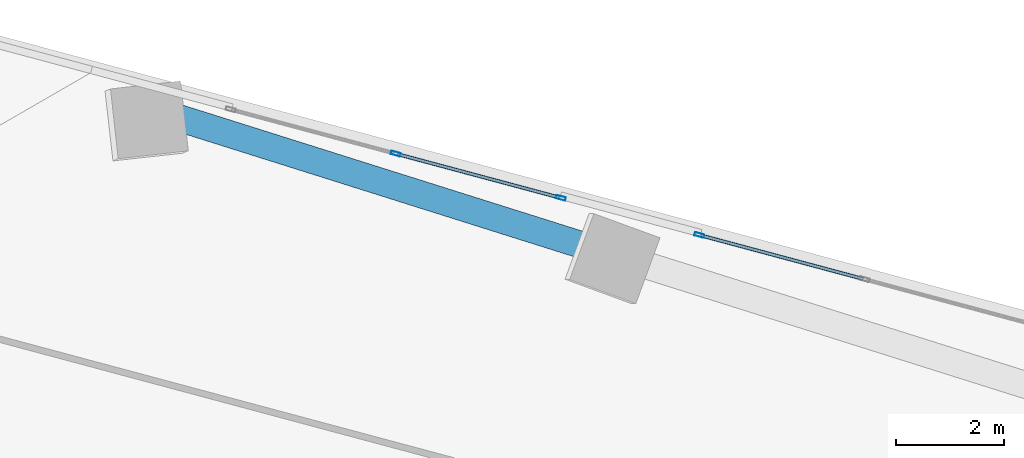
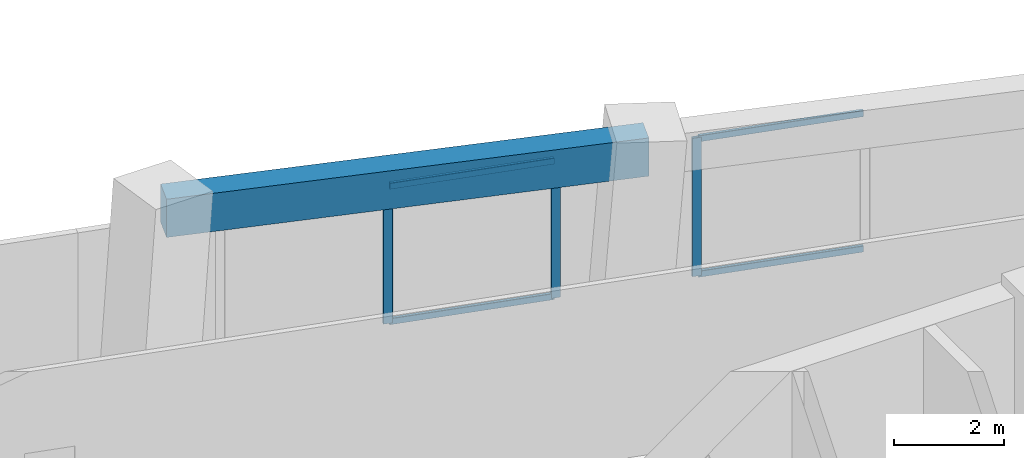
# One storey, part 15 of 27: 7 members, 1 beam, 2 elements without a shape of their own.
"""IFC4 building model written with IfcOpenShell, lengths in metres."""

import ifcopenshell
import ifcopenshell.guid

model = None  # the IFC model being written
_history = None  # IfcOwnerHistory: only IFC2X3 demands one
_inside = {}  # id of a spatial element -> (the spatial element, [elements in it])
_under = {}  # id of a project, library or spatial element -> (it, [spatial elements below it])
_declared = {}  # id of a project -> (the project, [libraries it declares])
_typed = {}  # id of a type object -> (the type object, [elements of that type])
_made_of = {}  # id of a material, layer set ... -> (it, [elements and type objects made of it])


def new_model(schema):
    """Start an empty IFC model of exactly this schema.

    Asked for "IFC4X3", IfcOpenShell would pick the latest addendum, in which some entities
    have other attributes; the version numbers below select the first issue.
    IFC2X3 requires an IfcOwnerHistory on every rooted entity: one is made here for all.
    """
    global model, _history
    if schema == "IFC4X3":
        model = ifcopenshell.file(schema_version=(4, 3, 0, 0))
    else:
        model = ifcopenshell.file(schema=schema)
    _inside.clear()
    _under.clear()
    _declared.clear()
    _typed.clear()
    _made_of.clear()
    _history = None
    if model.schema == "IFC2X3":
        org = make("IfcOrganization", Name="unknown")
        user = make(
            "IfcPersonAndOrganization",
            ThePerson=make("IfcPerson", FamilyName="unknown"),
            TheOrganization=org,
        )
        app = make(
            "IfcApplication",
            ApplicationDeveloper=org,
            Version="unknown",
            ApplicationFullName="unknown",
            ApplicationIdentifier="unknown",
        )
        _history = make(
            "IfcOwnerHistory",
            OwningUser=user,
            OwningApplication=app,
            ChangeAction="ADDED",
            CreationDate=0,
        )
    return model


def make(cls, **values):
    """One entity of the class cls with the attributes given. An attribute that is None is left unset."""
    return model.create_entity(
        cls, **{name: value for name, value in values.items() if value is not None}
    )


def rooted(cls, **values):
    """An entity with a GlobalId (a new one), such as an element, a storey or a relation."""
    return make(cls, GlobalId=ifcopenshell.guid.new(), OwnerHistory=_history, **values)


def si_unit(unit_type, name, prefix=None):
    """IfcSIUnit, for example si_unit("LENGTHUNIT", "METRE", prefix="MILLI")."""
    return make("IfcSIUnit", UnitType=unit_type, Prefix=prefix, Name=name)


def assignment(units):
    """IfcUnitAssignment: the units of a project."""
    return None if units is None else make("IfcUnitAssignment", Units=units)


def point(xyz):
    """IfcCartesianPoint."""
    return None if xyz is None else make("IfcCartesianPoint", Coordinates=xyz)


def direction(xyz):
    """IfcDirection."""
    return None if xyz is None else make("IfcDirection", DirectionRatios=xyz)


def frame(location, z_axis=None, x_axis=None):
    """IfcAxis2Placement3D, a coordinate frame: its origin and axes. An axis left out is left unset."""
    return make(
        "IfcAxis2Placement3D",
        Location=point(location),
        Axis=direction(z_axis),
        RefDirection=direction(x_axis),
    )


def frame_2d(location, x_axis=None):
    """IfcAxis2Placement2D, a coordinate frame in the plane: its origin and x axis."""
    return make(
        "IfcAxis2Placement2D", Location=point(location), RefDirection=direction(x_axis)
    )


def origin():
    """The frame at (0, 0, 0) with its axes left unset."""
    return frame((0.0, 0.0, 0.0))


def origin_2d():
    """The frame at (0, 0) in the plane with its x axis left unset."""
    return frame_2d((0.0, 0.0))


def place(relative_to, where):
    """IfcLocalPlacement: puts the frame where relative to a parent placement (None: the world)."""
    return make(
        "IfcLocalPlacement", PlacementRelTo=relative_to, RelativePlacement=where
    )


def context(
    kind, dimensions, precision=None, world=None, true_north=None, identifier=None
):
    """IfcGeometricRepresentationContext, for example the 3D "Model" context."""
    return make(
        "IfcGeometricRepresentationContext",
        ContextIdentifier=identifier,
        ContextType=kind,
        CoordinateSpaceDimension=dimensions,
        Precision=precision,
        WorldCoordinateSystem=world,
        TrueNorth=true_north,
    )


def subcontext(parent, identifier, kind, view, scale=None):
    """IfcGeometricRepresentationSubContext, for example "Body" below "Model"."""
    return make(
        "IfcGeometricRepresentationSubContext",
        ContextIdentifier=identifier,
        ContextType=kind,
        ParentContext=parent,
        TargetScale=scale,
        TargetView=view,
    )


def project(units=None, contexts=None):
    """IfcProject with its units and contexts."""
    return rooted(
        "IfcProject",
        Name="project",
        RepresentationContexts=contexts,
        UnitsInContext=assignment(units),
    )


def spatial(cls, under=None, at=None, **own):
    """A site, building, storey or space (cls), placed at a placement, below another one or the project."""
    s = rooted(cls, ObjectPlacement=at, **own)
    if under is not None:
        _under.setdefault(under.id(), (under, []))[1].append(s)
    return s


def profile(cls, at=None, kind="AREA", **sizes):
    """A parametric profile (cls). Its sizes go by their IFC names, for example OverallWidth=200.0."""
    return make(cls, ProfileType=kind, Position=at, **sizes)


def rectangle(**sizes):
    """IfcRectangleProfileDef."""
    return profile("IfcRectangleProfileDef", **sizes)


def hollow_rectangle(**sizes):
    """IfcRectangleHollowProfileDef."""
    return profile("IfcRectangleHollowProfileDef", **sizes)


def extrude(swept, where, along, depth):
    """IfcExtrudedAreaSolid: the profile swept, set in the frame where, extruded along a direction by depth."""
    return make(
        "IfcExtrudedAreaSolid",
        SweptArea=swept,
        Position=where,
        ExtrudedDirection=direction(along),
        Depth=depth,
    )


def shape(context_of_items, identifier, shape_type, items):
    """IfcShapeRepresentation: the items that make up one representation, for example the "Body"."""
    return make(
        "IfcShapeRepresentation",
        ContextOfItems=context_of_items,
        RepresentationIdentifier=identifier,
        RepresentationType=shape_type,
        Items=items,
    )


def source(mapping_origin, context_of_items, identifier, shape_type, items):
    """IfcRepresentationMap: a shape defined once, which mapped items show again and again."""
    return make(
        "IfcRepresentationMap",
        MappingOrigin=mapping_origin,
        MappedRepresentation=shape(context_of_items, identifier, shape_type, items),
    )


def transform(
    local_origin,
    x_axis=None,
    y_axis=None,
    z_axis=None,
    scale=None,
    scale2=None,
    scale3=None,
    uniform=True,
):
    """IfcCartesianTransformationOperator3D, or its non-uniform kind. x_axis, y_axis, z_axis: its Axis1, 2, 3."""
    if uniform:
        return make(
            "IfcCartesianTransformationOperator3D",
            Axis1=direction(x_axis),
            Axis2=direction(y_axis),
            LocalOrigin=point(local_origin),
            Scale=scale,
            Axis3=direction(z_axis),
        )
    return make(
        "IfcCartesianTransformationOperator3DnonUniform",
        Axis1=direction(x_axis),
        Axis2=direction(y_axis),
        LocalOrigin=point(local_origin),
        Scale=scale,
        Axis3=direction(z_axis),
        Scale2=scale2,
        Scale3=scale3,
    )


def mapped(mapping_source, mapping_target):
    """IfcMappedItem: shows the shape of a source again, moved by a transform."""
    return make(
        "IfcMappedItem", MappingSource=mapping_source, MappingTarget=mapping_target
    )


def material(Name=None, Category=None):
    """IfcMaterial."""
    return make("IfcMaterial", Name=Name, Category=Category)


def material_profile(
    of_material, cross_section, Name=None, Category=None, Priority=None
):
    """IfcMaterialProfile: a cross section and its material."""
    return make(
        "IfcMaterialProfile",
        Name=Name,
        Material=of_material,
        Profile=cross_section,
        Priority=Priority,
        Category=Category,
    )


def profile_set(profiles, Name=None, composite=None):
    """IfcMaterialProfileSet."""
    return make(
        "IfcMaterialProfileSet",
        Name=Name,
        MaterialProfiles=profiles,
        CompositeProfile=composite,
    )


def made_of(thing, what):
    """Note that an element or type object is made of a material, layer set ...; save() writes the relation."""
    if what is not None:
        _made_of.setdefault(what.id(), (what, []))[1].append(thing)
    return thing


def type_object(cls, material=None, **own):
    """A type object (cls), such as IfcWallType, which elements share."""
    return made_of(rooted(cls, **own), material)


def element(
    cls,
    number,
    at=None,
    inside=None,
    cuts=None,
    type_object=None,
    material=None,
    context=None,
    identifier="Body",
    shape_type=None,
    held_by="IfcProductDefinitionShape",
    body=None,
    shapes=None,
    **own,
):
    """One element of the class cls, such as IfcWall. Its Tag is "e" and its number.

    at: its placement. inside: the storey or other place that contains it. cuts: it is an
    opening in that element (IfcRelVoidsElement). A single representation is given by context,
    identifier, shape_type and body (its items); several are given by shapes. held_by: the class
    of the entity that holds the representations. save() writes the other relations.
    """
    e = rooted(cls, Tag="e%d" % number, ObjectPlacement=at, **own)
    if body is not None:
        shapes = [shape(context, identifier, shape_type, body)]
    if shapes is not None:
        e.Representation = make(held_by, Representations=shapes)
    if inside is not None:
        _inside.setdefault(inside.id(), (inside, []))[1].append(e)
    if cuts is not None:
        rooted(
            "IfcRelVoidsElement", RelatingBuildingElement=cuts, RelatedOpeningElement=e
        )
    if type_object is not None:
        _typed.setdefault(type_object.id(), (type_object, []))[1].append(e)
    return made_of(e, material)


def aggregate(whole, parts):
    """IfcRelAggregates: a whole, such as a stair, and the parts it consists of."""
    return rooted("IfcRelAggregates", RelatingObject=whole, RelatedObjects=parts)


def save(model, path):
    """Write the relations noted so far, then the file.

    IfcRelAggregates (storeys below a building ...), IfcRelContainedInSpatialStructure (elements
    in a storey), IfcRelDefinesByType, IfcRelAssociatesMaterial and IfcRelDeclares: one each for
    every whole, place, type object, material and project.
    """
    for whole, parts in _under.values():
        aggregate(whole, parts)
    for where, things in _inside.values():
        rooted(
            "IfcRelContainedInSpatialStructure",
            RelatedElements=things,
            RelatingStructure=where,
        )
    for kind, things in _typed.values():
        rooted("IfcRelDefinesByType", RelatedObjects=things, RelatingType=kind)
    for what, things in _made_of.values():
        rooted("IfcRelAssociatesMaterial", RelatedObjects=things, RelatingMaterial=what)
    for by, libraries in _declared.values():
        rooted("IfcRelDeclares", RelatingContext=by, RelatedDefinitions=libraries)
    model.write(path)


model = new_model("IFC4")

# Units and contexts
model_context = context("Model", 3, precision=1e-05, world=origin(), true_north=direction((0.0, 1.0)))
body_context = subcontext(model_context, "Body", "Model", "MODEL_VIEW")
ifc_project = project(units=[si_unit("LENGTHUNIT", "METRE"), si_unit("AREAUNIT", "SQUARE_METRE"), si_unit("VOLUMEUNIT", "CUBIC_METRE"), si_unit("PLANEANGLEUNIT", "RADIAN"), si_unit("MASSUNIT", "GRAM", prefix="KILO")], contexts=[model_context])

# Site, building, storey
site_placement = place(None, origin())
site = spatial("IfcSite", under=ifc_project, at=site_placement, CompositionType="ELEMENT")
building_placement = place(site_placement, origin())
building = spatial("IfcBuilding", under=site, at=building_placement, Name="Torre Montelarca", CompositionType="ELEMENT")
storey_placement = place(building_placement, frame((0.0, 0.0, 108.39990234375)))
storey = spatial("IfcBuildingStorey", under=building, at=storey_placement, Name="L24", CompositionType="ELEMENT", Elevation=108.39990234375)

# Beam
ifc_material_1 = material(Name="Concrete C55/67", Category="concrete")
ifc_material_profile_1 = material_profile(ifc_material_1, rectangle(XDim=0.5, YDim=0.85009765625, at=origin_2d()), Name="RCB500X850", Category="concrete")
ifc_profile_set_1 = profile_set([ifc_material_profile_1], Name="Concrete C55/67")
beam_type = type_object("IfcBeamType", Name="BM-SP-RC850-EXT", PredefinedType="SPANDREL", material=ifc_profile_set_1)
shared_shape_1 = source(origin(), body_context, "Body", "SweptSolid", [
    extrude(rectangle(XDim=0.5, YDim=0.85009765625, at=origin_2d()), origin(), (0.0, 0.0, 1.0), 9.0),
])
beam_placement = place(storey_placement, frame((14.13427734375, 50.20751953125, 3.53515625), z_axis=(0.953719088711, -0.300699018669, 0.0), x_axis=(0.300699018669, 0.953719088711, 0.0)))
element("IfcBeam", 1, at=beam_placement, inside=storey, type_object=beam_type, Name="L24 Grid Girder X 9.0-18.0 at Y=47.1", PredefinedType="SPANDREL", context=body_context, shape_type="MappedRepresentation", body=[
    mapped(shared_shape_1, transform((0.0, 0.0, 0.0), scale=1.0)),
])

# Curtain wall, members
ifc_material_2 = material(Name="Insulated low-E laminated glass", Category="glass")
curtain_wall_type = type_object("IfcCurtainWallType", Name="CW-SYS-Z1", PredefinedType="USERDEFINED", material=ifc_material_2)
curtain_wall_1_placement = place(storey_placement, origin())
curtain_wall_1 = element("IfcCurtainWall", 2, at=curtain_wall_1_placement, inside=storey, type_object=curtain_wall_type, Name="L24 Curtain Wall Run CW-T3-L24-E08-B2", ObjectType="UNITISED GLAZING", PredefinedType="USERDEFINED")
ifc_material_3 = material(Name="Anodised aluminium AA 6063-T6", Category="aluminium")
ifc_material_profile_2 = material_profile(ifc_material_3, hollow_rectangle(XDim=0.06494140625, YDim=0.139892578125, WallThickness=0.00390625, InnerFilletRadius=0.00390625, OuterFilletRadius=0.008056640625, at=origin_2d()), Name="ALU65X140X4", Category="aluminium")
ifc_profile_set_2 = profile_set([ifc_material_profile_2], Name="Anodised aluminium AA 6063-T6")
member_type_1 = type_object("IfcMemberType", Name="CWT-ALU140", PredefinedType="USERDEFINED", material=ifc_profile_set_2)
shared_shape_2 = source(origin(), body_context, "Body", "SweptSolid", [
    extrude(hollow_rectangle(XDim=0.06494140625, YDim=0.139892578125, WallThickness=0.00390625, InnerFilletRadius=0.00390625, OuterFilletRadius=0.008056640625, at=origin_2d()), origin(), (0.0, 0.0, 1.0), 3.10498046875),
])
member_1_placement = place(storey_placement, frame((27.073486328125, 47.1435546875, 0.03271484375), z_axis=(-0.965921026573, 0.258836957222, 0.0), x_axis=(-0.258836957222, -0.965921026573, 0.0)))
member_1 = element("IfcMember", 3, at=member_1_placement, type_object=member_type_1, Name="CW transom 2.1", ObjectType="TRANSOM", PredefinedType="USERDEFINED", context=body_context, shape_type="MappedRepresentation", body=[
    mapped(shared_shape_2, transform((0.0, 0.0, 0.0), scale=1.0)),
])
member_2_placement = place(storey_placement, frame((27.073486328125, 47.1435546875, 3.04248046875), z_axis=(-0.965921026573, 0.258836957222, 0.0), x_axis=(-0.258836957222, -0.965921026573, 0.0)))
member_2 = element("IfcMember", 4, at=member_2_placement, type_object=member_type_1, Name="CW transom 2.2", ObjectType="TRANSOM", PredefinedType="USERDEFINED", context=body_context, shape_type="MappedRepresentation", body=[
    mapped(shared_shape_2, transform((0.0, 0.0, 0.0), scale=1.0)),
])

curtain_wall_2_placement = place(storey_placement, origin())
curtain_wall_2 = element("IfcCurtainWall", 5, at=curtain_wall_2_placement, inside=storey, type_object=curtain_wall_type, Name="L24 Curtain Wall Run CW-T3-L24-E08-B3", ObjectType="UNITISED GLAZING", PredefinedType="USERDEFINED")
shared_shape_3 = source(origin(), body_context, "Body", "SweptSolid", [
    extrude(hollow_rectangle(XDim=0.06494140625, YDim=0.139892578125, WallThickness=0.00390625, InnerFilletRadius=0.00390625, OuterFilletRadius=0.008056640625, at=origin_2d()), origin(), (0.0, 0.0, 1.0), 3.10205078125),
])
member_3_placement = place(storey_placement, frame((21.4443359375, 48.65185546875, 0.03271484375), z_axis=(-0.965936459171, 0.258779359387, 0.0), x_axis=(-0.258779359387, -0.965936459171, 0.0)))
member_3 = element("IfcMember", 6, at=member_3_placement, type_object=member_type_1, Name="CW transom 1.1", ObjectType="TRANSOM", PredefinedType="USERDEFINED", context=body_context, shape_type="MappedRepresentation", body=[
    mapped(shared_shape_3, transform((0.0, 0.0, 0.0), scale=1.0)),
])
member_4_placement = place(storey_placement, frame((21.4443359375, 48.65185546875, 3.04248046875), z_axis=(-0.965936459171, 0.258779359387, 0.0), x_axis=(-0.258779359387, -0.965936459171, 0.0)))
member_4 = element("IfcMember", 7, at=member_4_placement, type_object=member_type_1, Name="CW transom 1.2", ObjectType="TRANSOM", PredefinedType="USERDEFINED", context=body_context, shape_type="MappedRepresentation", body=[
    mapped(shared_shape_3, transform((0.0, 0.0, 0.0), scale=1.0)),
])

# Member
ifc_material_profile_3 = material_profile(ifc_material_3, hollow_rectangle(XDim=0.06494140625, YDim=0.179931640625, WallThickness=0.00390625, InnerFilletRadius=0.00390625, OuterFilletRadius=0.008056640625, at=origin_2d()), Name="ALU65X180X4", Category="aluminium")
ifc_profile_set_3 = profile_set([ifc_material_profile_3], Name="Anodised aluminium AA 6063-T6")
member_type_2 = type_object("IfcMemberType", Name="CWM-ALU180", PredefinedType="MULLION", material=ifc_profile_set_3)
shared_shape_4 = source(origin(), body_context, "Body", "SweptSolid", [
    extrude(hollow_rectangle(XDim=0.06494140625, YDim=0.179931640625, WallThickness=0.00390625, InnerFilletRadius=0.00390625, OuterFilletRadius=0.008056640625, at=origin_2d()), origin(), (0.0, 0.0, 1.0), 3.0751953125),
])
member_5_placement = place(storey_placement, frame((24.04296875, 47.95556640625, 0.0), z_axis=(0.0, 0.0, 1.0), x_axis=(-0.258826610554, -0.965923799101, 0.0)))
member_5 = element("IfcMember", 8, at=member_5_placement, type_object=member_type_2, Name="CW mullion 3", PredefinedType="MULLION", context=body_context, shape_type="MappedRepresentation", body=[
    mapped(shared_shape_4, transform((0.0, 0.0, 0.0), scale=1.0)),
])

aggregate(curtain_wall_1, [member_5, member_1, member_2])

member_6_placement = place(storey_placement, frame((21.4755859375, 48.6435546875, 0.0), z_axis=(0.0, 0.0, 1.0), x_axis=(-0.25880639143, -0.965929216741, 0.0)))
member_6 = element("IfcMember", 9, at=member_6_placement, type_object=member_type_2, Name="CW mullion 1", PredefinedType="MULLION", context=body_context, shape_type="MappedRepresentation", body=[
    mapped(shared_shape_4, transform((0.0, 0.0, 0.0), scale=1.0)),
])

member_7_placement = place(storey_placement, frame((18.416748046875, 49.463134765625, 0.0), z_axis=(0.0, 0.0, 1.0), x_axis=(-0.25880639143, -0.965929216741, 0.0)))
member_7 = element("IfcMember", 10, at=member_7_placement, type_object=member_type_2, Name="CW mullion 2", PredefinedType="MULLION", context=body_context, shape_type="MappedRepresentation", body=[
    mapped(shared_shape_4, transform((0.0, 0.0, 0.0), scale=1.0)),
])

aggregate(curtain_wall_2, [member_6, member_7, member_3, member_4])

save(model, "model.ifc")
